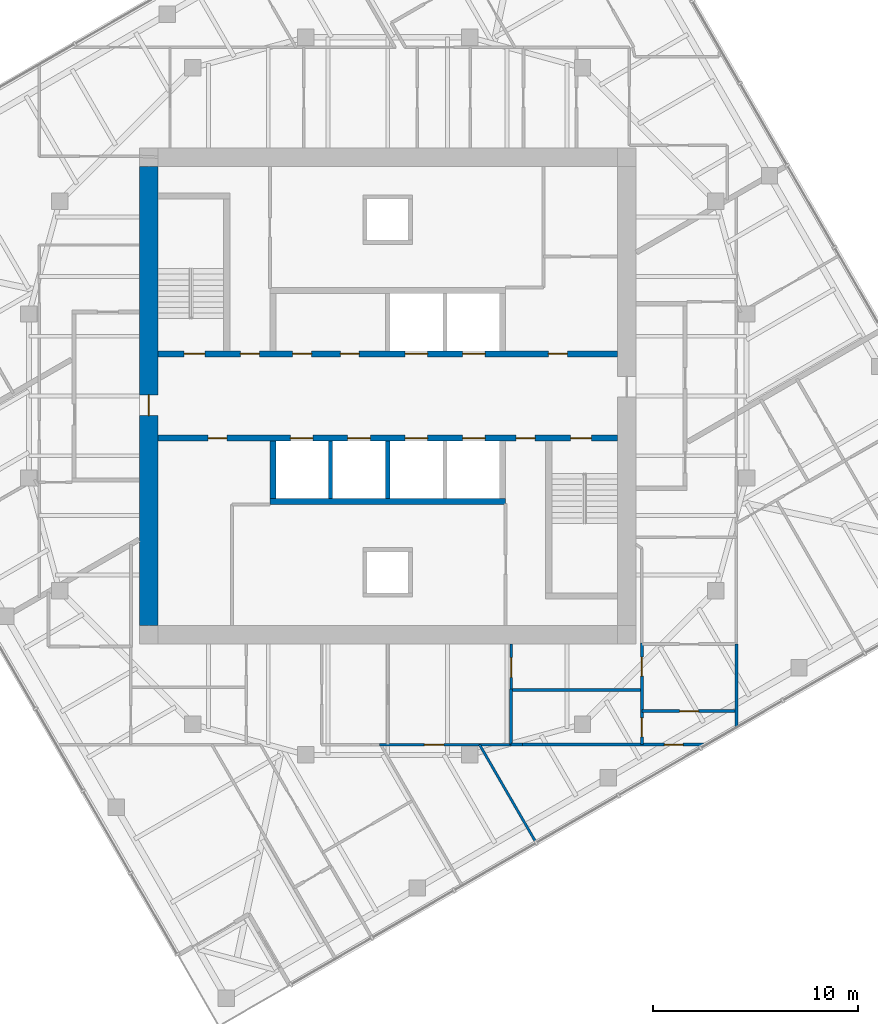
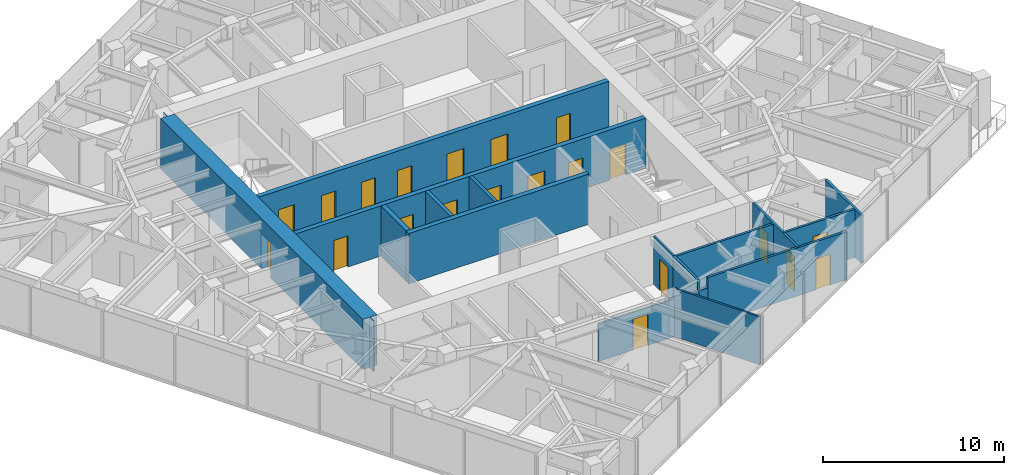
# One storey, part 8 of 13: 21 doors, 17 walls, 21 openings.
"""IFC4 building model written with IfcOpenShell, lengths in metres."""

from ifc_helpers import new_model, si_unit, direction, frame, frame_2d, origin, place, context, subcontext, project, spatial, polyline, rectangle, outline, extrude, material, layer, layer_set, type_object, element, fill, save


model = new_model("IFC4")

# Units and contexts
model_context = context("Model", 3, precision=1e-05, world=origin(), true_north=direction((0.0, 1.0)))
body_context = subcontext(model_context, "Body", "Model", "MODEL_VIEW")
ifc_project = project(units=[si_unit("LENGTHUNIT", "METRE"), si_unit("AREAUNIT", "SQUARE_METRE"), si_unit("VOLUMEUNIT", "CUBIC_METRE"), si_unit("PLANEANGLEUNIT", "RADIAN"), si_unit("MASSUNIT", "GRAM", prefix="KILO")], contexts=[model_context])

# Site, building, storey
site_placement = place(None, origin())
site = spatial("IfcSite", under=ifc_project, at=site_placement, CompositionType="ELEMENT")
building_placement = place(site_placement, origin())
building = spatial("IfcBuilding", under=site, at=building_placement, Name="Torsade Residences", CompositionType="ELEMENT")
storey_placement = place(building_placement, frame((0.0, 0.0, 208.199951171875)))
storey = spatial("IfcBuildingStorey", under=building, at=storey_placement, Name="L57", CompositionType="ELEMENT", Elevation=208.199951171875)

# Wall, openings, doors
ifc_material_1 = material(Name="Concrete 80 MPa", Category="concrete")
ifc_layer_1 = layer(ifc_material_1, 0.300048828125)
ifc_layer_set_1 = layer_set([ifc_layer_1], Name="Concrete 80 MPa")
wall_type_1 = type_object("IfcWallType", Name="CORE INTERNAL WALL 300", PredefinedType="SHEAR", material=ifc_layer_set_1)
wall_1_placement = place(storey_placement, frame((28.800048828125, 32.050048828125, 0.0), z_axis=(0.0, 0.0, 1.0), x_axis=(1.0, 0.0, 0.0)))
wall_1 = element("IfcWall", 1, at=wall_1_placement, inside=storey, type_object=wall_type_1, Name="Core wall LN L57", PredefinedType="SHEAR", context=body_context, shape_type="SweptSolid", body=[
    extrude(rectangle(XDim=22.39990234375, YDim=0.300048828125, at=frame_2d((11.199951171875, 0.0))), origin(), (0.0, 0.0, 1.0), 3.400146484375),
])
opening_1_placement = place(wall_1_placement, frame((19.0400390625, 0.0, 0.0)))
opening_1 = element("IfcOpeningElement", 2, at=opening_1_placement, cuts=wall_1, Name="Opening D06", PredefinedType="OPENING", context=body_context, shape_type="SweptSolid", body=[
    extrude(rectangle(XDim=0.919921875, YDim=2.10009765625, at=frame_2d((0.4599609375, 1.050048828125))), frame((0.0, 0.159912109375, 0.0), z_axis=(0.0, -1.0, 0.0), x_axis=(1.0, 0.0, 0.0)), (0.0, 0.0, 1.0), 0.320068359375),
])
opening_2_placement = place(wall_1_placement, frame((1.264892578125, 0.0, 0.0)))
opening_2 = element("IfcOpeningElement", 3, at=opening_2_placement, cuts=wall_1, Name="Opening D03", PredefinedType="OPENING", context=body_context, shape_type="SweptSolid", body=[
    extrude(rectangle(XDim=1.02001953125, YDim=2.10009765625, at=frame_2d((0.510009765625, 1.050048828125))), frame((0.0, 0.159912109375, 0.0), z_axis=(0.0, -1.0, 0.0), x_axis=(1.0, 0.0, 0.0)), (0.0, 0.0, 1.0), 0.320068359375),
])
opening_3_placement = place(wall_1_placement, frame((4.014892578125, 0.0, 0.0)))
opening_3 = element("IfcOpeningElement", 4, at=opening_3_placement, cuts=wall_1, Name="Opening D06", PredefinedType="OPENING", context=body_context, shape_type="SweptSolid", body=[
    extrude(rectangle(XDim=0.919921875, YDim=2.10009765625, at=frame_2d((0.4599609375, 1.050048828125))), frame((0.0, 0.159912109375, 0.0), z_axis=(0.0, -1.0, 0.0), x_axis=(1.0, 0.0, 0.0)), (0.0, 0.0, 1.0), 0.320068359375),
])
opening_4_placement = place(wall_1_placement, frame((6.56494140625, 0.0, 0.0)))
opening_4 = element("IfcOpeningElement", 5, at=opening_4_placement, cuts=wall_1, Name="Opening D06", PredefinedType="OPENING", context=body_context, shape_type="SweptSolid", body=[
    extrude(rectangle(XDim=0.919921875, YDim=2.10009765625, at=frame_2d((0.4599609375, 1.050048828125))), frame((0.0, 0.159912109375, 0.0), z_axis=(0.0, -1.0, 0.0), x_axis=(1.0, 0.0, 0.0)), (0.0, 0.0, 1.0), 0.320068359375),
])
opening_5_placement = place(wall_1_placement, frame((8.889892578125, 0.0, 0.0)))
opening_5 = element("IfcOpeningElement", 6, at=opening_5_placement, cuts=wall_1, Name="Opening D06", PredefinedType="OPENING", context=body_context, shape_type="SweptSolid", body=[
    extrude(rectangle(XDim=0.919921875, YDim=2.10009765625, at=frame_2d((0.4599609375, 1.050048828125))), frame((0.0, 0.159912109375, 0.0), z_axis=(0.0, -1.0, 0.0), x_axis=(1.0, 0.0, 0.0)), (0.0, 0.0, 1.0), 0.320068359375),
])
opening_6_placement = place(wall_1_placement, frame((12.050048828125, 0.0, 0.0)))
opening_6 = element("IfcOpeningElement", 7, at=opening_6_placement, cuts=wall_1, Name="Opening LD", PredefinedType="OPENING", context=body_context, shape_type="SweptSolid", body=[
    extrude(rectangle(XDim=1.10009765625, YDim=2.10009765625, at=frame_2d((0.550048828125, 1.050048828125))), frame((0.0, 0.159912109375, 0.0), z_axis=(0.0, -1.0, 0.0), x_axis=(1.0, 0.0, 0.0)), (0.0, 0.0, 1.0), 0.320068359375),
])
opening_7_placement = place(wall_1_placement, frame((14.85009765625, 0.0, 0.0)))
opening_7 = element("IfcOpeningElement", 8, at=opening_7_placement, cuts=wall_1, Name="Opening LD", PredefinedType="OPENING", context=body_context, shape_type="SweptSolid", body=[
    extrude(rectangle(XDim=1.10009765625, YDim=2.10009765625, at=frame_2d((0.550048828125, 1.050048828125))), frame((0.0, 0.159912109375, 0.0), z_axis=(0.0, -1.0, 0.0), x_axis=(1.0, 0.0, 0.0)), (0.0, 0.0, 1.0), 0.320068359375),
])
ifc_material_2 = material(Name="Steel-framed fire door", Category="steel")
door_type_1 = type_object("IfcDoorType", Name="FIRE DOOR 1020", OperationType="NOTDEFINED", PredefinedType="DOOR", material=ifc_material_2)
door_1_placement = place(opening_2_placement, origin())
door_1 = element("IfcDoor", 9, at=door_1_placement, inside=storey, type_object=door_type_1, Name="Exit door to fire-isolated stair ST1 L57", OperationType="SINGLE_SWING_RIGHT", OverallHeight=2.10009765625, OverallWidth=1.02001953125, PredefinedType="DOOR", context=body_context, shape_type="SweptSolid", body=[
    extrude(rectangle(XDim=1.02001953125, YDim=2.10009765625, at=frame_2d((0.510009765625, 1.050048828125))), frame((0.0, 0.02490234375, 0.0), z_axis=(0.0, -1.0, 0.0), x_axis=(1.0, 0.0, 0.0)), (0.0, 0.0, 1.0), 0.050048828125),
])
fill(opening_2, door_1)
ifc_material_3 = material(Name="Steel-framed fire door", Category="steel")
door_type_2 = type_object("IfcDoorType", Name="FIRE DOOR 920", OperationType="NOTDEFINED", PredefinedType="DOOR", material=ifc_material_3)
door_2_placement = place(opening_1_placement, origin())
door_2 = element("IfcDoor", 10, at=door_2_placement, inside=storey, type_object=door_type_2, Name="Door Transfer lift lobby to Refuse room", OperationType="SINGLE_SWING_LEFT", OverallHeight=2.10009765625, OverallWidth=0.919921875, PredefinedType="DOOR", context=body_context, shape_type="SweptSolid", body=[
    extrude(rectangle(XDim=0.919921875, YDim=2.10009765625, at=frame_2d((0.4599609375, 1.050048828125))), frame((0.0, 0.02490234375, 0.0), z_axis=(0.0, -1.0, 0.0), x_axis=(1.0, 0.0, 0.0)), (0.0, 0.0, 1.0), 0.050048828125),
])
fill(opening_1, door_2)
door_3_placement = place(opening_3_placement, origin())
door_3 = element("IfcDoor", 11, at=door_3_placement, inside=storey, type_object=door_type_2, Name="Door Transfer lift lobby to Meter store", OperationType="SINGLE_SWING_LEFT", OverallHeight=2.10009765625, OverallWidth=0.919921875, PredefinedType="DOOR", context=body_context, shape_type="SweptSolid", body=[
    extrude(rectangle(XDim=0.919921875, YDim=2.10009765625, at=frame_2d((0.4599609375, 1.050048828125))), frame((0.0, 0.02490234375, 0.0), z_axis=(0.0, -1.0, 0.0), x_axis=(1.0, 0.0, 0.0)), (0.0, 0.0, 1.0), 0.050048828125),
])
fill(opening_3, door_3)
door_4_placement = place(opening_4_placement, origin())
door_4 = element("IfcDoor", 12, at=door_4_placement, inside=storey, type_object=door_type_2, Name="Door Transfer lift lobby to Bulky waste store L57A", OperationType="SINGLE_SWING_RIGHT", OverallHeight=2.10009765625, OverallWidth=0.919921875, PredefinedType="DOOR", context=body_context, shape_type="SweptSolid", body=[
    extrude(rectangle(XDim=0.919921875, YDim=2.10009765625, at=frame_2d((0.4599609375, 1.050048828125))), frame((0.0, 0.02490234375, 0.0), z_axis=(0.0, -1.0, 0.0), x_axis=(1.0, 0.0, 0.0)), (0.0, 0.0, 1.0), 0.050048828125),
])
fill(opening_4, door_4)
door_5_placement = place(opening_5_placement, origin())
door_5 = element("IfcDoor", 13, at=door_5_placement, inside=storey, type_object=door_type_2, Name="Door Transfer lift lobby to Bulky waste store L57A", OperationType="SINGLE_SWING_LEFT", OverallHeight=2.10009765625, OverallWidth=0.919921875, PredefinedType="DOOR", context=body_context, shape_type="SweptSolid", body=[
    extrude(rectangle(XDim=0.919921875, YDim=2.10009765625, at=frame_2d((0.4599609375, 1.050048828125))), frame((0.0, 0.02490234375, 0.0), z_axis=(0.0, -1.0, 0.0), x_axis=(1.0, 0.0, 0.0)), (0.0, 0.0, 1.0), 0.050048828125),
])
fill(opening_5, door_5)
ifc_material_4 = material(Name="Stainless steel lift landing door", Category="steel")
door_type_3 = type_object("IfcDoorType", Name="LIFT LANDING DOOR 1100", OperationType="SLIDING_TO_LEFT", PredefinedType="DOOR", material=ifc_material_4)
door_6_placement = place(opening_6_placement, origin())
door_6 = element("IfcDoor", 14, at=door_6_placement, inside=storey, type_object=door_type_3, Name="Lift LA3 landing door L57", OperationType="SLIDING_TO_LEFT", OverallHeight=2.10009765625, OverallWidth=1.10009765625, PredefinedType="DOOR", context=body_context, shape_type="SweptSolid", body=[
    extrude(rectangle(XDim=1.10009765625, YDim=2.10009765625, at=frame_2d((0.550048828125, 1.050048828125))), frame((0.0, 0.02490234375, 0.0), z_axis=(0.0, -1.0, 0.0), x_axis=(1.0, 0.0, 0.0)), (0.0, 0.0, 1.0), 0.050048828125),
])
fill(opening_6, door_6)
door_7_placement = place(opening_7_placement, origin())
door_7 = element("IfcDoor", 15, at=door_7_placement, inside=storey, type_object=door_type_3, Name="Lift FL1 landing door L57", OperationType="SLIDING_TO_LEFT", OverallHeight=2.10009765625, OverallWidth=1.10009765625, PredefinedType="DOOR", context=body_context, shape_type="SweptSolid", body=[
    extrude(rectangle(XDim=1.10009765625, YDim=2.10009765625, at=frame_2d((0.550048828125, 1.050048828125))), frame((0.0, 0.02490234375, 0.0), z_axis=(0.0, -1.0, 0.0), x_axis=(1.0, 0.0, 0.0)), (0.0, 0.0, 1.0), 0.050048828125),
])
fill(opening_7, door_7)

wall_2_placement = place(storey_placement, frame((51.199951171875, 27.949951171875, 0.0), z_axis=(0.0, 0.0, 1.0), x_axis=(-1.0, 0.0, 0.0)))
wall_2 = element("IfcWall", 16, at=wall_2_placement, inside=storey, type_object=wall_type_1, Name="Core wall LS L57", PredefinedType="SHEAR", context=body_context, shape_type="SweptSolid", body=[
    extrude(rectangle(XDim=22.39990234375, YDim=0.300048828125, at=frame_2d((11.199951171875, 0.0))), origin(), (0.0, 0.0, 1.0), 3.400146484375),
])
opening_8_placement = place(wall_2_placement, frame((19.0400390625, 0.0, 0.0)))
opening_8 = element("IfcOpeningElement", 17, at=opening_8_placement, cuts=wall_2, Name="Opening D06", PredefinedType="OPENING", context=body_context, shape_type="SweptSolid", body=[
    extrude(rectangle(XDim=0.919921875, YDim=2.10009765625, at=frame_2d((0.4599609375, 1.050048828125))), frame((0.0, 0.159912109375, 0.0), z_axis=(0.0, -1.0, 0.0), x_axis=(1.0, 0.0, 0.0)), (0.0, 0.0, 1.0), 0.320068359375),
])
opening_9_placement = place(wall_2_placement, frame((1.264892578125, 0.0, 0.0)))
opening_9 = element("IfcOpeningElement", 18, at=opening_9_placement, cuts=wall_2, Name="Opening D03", PredefinedType="OPENING", context=body_context, shape_type="SweptSolid", body=[
    extrude(rectangle(XDim=1.02001953125, YDim=2.10009765625, at=frame_2d((0.510009765625, 1.050048828125))), frame((0.0, 0.159912109375, 0.0), z_axis=(0.0, -1.0, 0.0), x_axis=(1.0, 0.0, 0.0)), (0.0, 0.0, 1.0), 0.320068359375),
])
opening_10_placement = place(wall_2_placement, frame((4.014892578125, 0.0, 0.0)))
opening_10 = element("IfcOpeningElement", 19, at=opening_10_placement, cuts=wall_2, Name="Opening D06", PredefinedType="OPENING", context=body_context, shape_type="SweptSolid", body=[
    extrude(rectangle(XDim=0.919921875, YDim=2.10009765625, at=frame_2d((0.4599609375, 1.050048828125))), frame((0.0, 0.159912109375, 0.0), z_axis=(0.0, -1.0, 0.0), x_axis=(1.0, 0.0, 0.0)), (0.0, 0.0, 1.0), 0.320068359375),
])
opening_11_placement = place(wall_2_placement, frame((6.449951171875, 0.0, 0.0)))
opening_11 = element("IfcOpeningElement", 20, at=opening_11_placement, cuts=wall_2, Name="Opening LD", PredefinedType="OPENING", context=body_context, shape_type="SweptSolid", body=[
    extrude(rectangle(XDim=1.10009765625, YDim=2.10009765625, at=frame_2d((0.550048828125, 1.050048828125))), frame((0.0, 0.159912109375, 0.0), z_axis=(0.0, -1.0, 0.0), x_axis=(1.0, 0.0, 0.0)), (0.0, 0.0, 1.0), 0.320068359375),
])
opening_12_placement = place(wall_2_placement, frame((9.25, 0.0, 0.0)))
opening_12 = element("IfcOpeningElement", 21, at=opening_12_placement, cuts=wall_2, Name="Opening LD", PredefinedType="OPENING", context=body_context, shape_type="SweptSolid", body=[
    extrude(rectangle(XDim=1.10009765625, YDim=2.10009765625, at=frame_2d((0.550048828125, 1.050048828125))), frame((0.0, 0.159912109375, 0.0), z_axis=(0.0, -1.0, 0.0), x_axis=(1.0, 0.0, 0.0)), (0.0, 0.0, 1.0), 0.320068359375),
])
opening_13_placement = place(wall_2_placement, frame((12.050048828125, 0.0, 0.0)))
opening_13 = element("IfcOpeningElement", 22, at=opening_13_placement, cuts=wall_2, Name="Opening LD", PredefinedType="OPENING", context=body_context, shape_type="SweptSolid", body=[
    extrude(rectangle(XDim=1.10009765625, YDim=2.10009765625, at=frame_2d((0.550048828125, 1.050048828125))), frame((0.0, 0.159912109375, 0.0), z_axis=(0.0, -1.0, 0.0), x_axis=(1.0, 0.0, 0.0)), (0.0, 0.0, 1.0), 0.320068359375),
])
opening_14_placement = place(wall_2_placement, frame((14.85009765625, 0.0, 0.0)))
opening_14 = element("IfcOpeningElement", 23, at=opening_14_placement, cuts=wall_2, Name="Opening LD", PredefinedType="OPENING", context=body_context, shape_type="SweptSolid", body=[
    extrude(rectangle(XDim=1.10009765625, YDim=2.10009765625, at=frame_2d((0.550048828125, 1.050048828125))), frame((0.0, 0.159912109375, 0.0), z_axis=(0.0, -1.0, 0.0), x_axis=(1.0, 0.0, 0.0)), (0.0, 0.0, 1.0), 0.320068359375),
])
door_8_placement = place(opening_9_placement, origin())
door_8 = element("IfcDoor", 24, at=door_8_placement, inside=storey, type_object=door_type_1, Name="Exit door to fire-isolated stair ST2 L57", OperationType="SINGLE_SWING_RIGHT", OverallHeight=2.10009765625, OverallWidth=1.02001953125, PredefinedType="DOOR", context=body_context, shape_type="SweptSolid", body=[
    extrude(rectangle(XDim=1.02001953125, YDim=2.10009765625, at=frame_2d((0.510009765625, 1.050048828125))), frame((0.0, 0.02490234375, 0.0), z_axis=(0.0, -1.0, 0.0), x_axis=(1.0, 0.0, 0.0)), (0.0, 0.0, 1.0), 0.050048828125),
])
fill(opening_9, door_8)
door_9_placement = place(opening_8_placement, origin())
door_9 = element("IfcDoor", 25, at=door_9_placement, inside=storey, type_object=door_type_2, Name="Door Transfer lift lobby to Cleaner store", OperationType="SINGLE_SWING_LEFT", OverallHeight=2.10009765625, OverallWidth=0.919921875, PredefinedType="DOOR", context=body_context, shape_type="SweptSolid", body=[
    extrude(rectangle(XDim=0.919921875, YDim=2.10009765625, at=frame_2d((0.4599609375, 1.050048828125))), frame((0.0, 0.02490234375, 0.0), z_axis=(0.0, -1.0, 0.0), x_axis=(1.0, 0.0, 0.0)), (0.0, 0.0, 1.0), 0.050048828125),
])
fill(opening_8, door_9)
door_10_placement = place(opening_10_placement, origin())
door_10 = element("IfcDoor", 26, at=door_10_placement, inside=storey, type_object=door_type_2, Name="Door Transfer lift lobby to Communications equipment store", OperationType="SINGLE_SWING_RIGHT", OverallHeight=2.10009765625, OverallWidth=0.919921875, PredefinedType="DOOR", context=body_context, shape_type="SweptSolid", body=[
    extrude(rectangle(XDim=0.919921875, YDim=2.10009765625, at=frame_2d((0.4599609375, 1.050048828125))), frame((0.0, 0.02490234375, 0.0), z_axis=(0.0, -1.0, 0.0), x_axis=(1.0, 0.0, 0.0)), (0.0, 0.0, 1.0), 0.050048828125),
])
fill(opening_10, door_10)
door_11_placement = place(opening_11_placement, origin())
door_11 = element("IfcDoor", 27, at=door_11_placement, inside=storey, type_object=door_type_3, Name="Lift LB1 landing door L57", OperationType="SLIDING_TO_LEFT", OverallHeight=2.10009765625, OverallWidth=1.10009765625, PredefinedType="DOOR", context=body_context, shape_type="SweptSolid", body=[
    extrude(rectangle(XDim=1.10009765625, YDim=2.10009765625, at=frame_2d((0.550048828125, 1.050048828125))), frame((0.0, 0.02490234375, 0.0), z_axis=(0.0, -1.0, 0.0), x_axis=(1.0, 0.0, 0.0)), (0.0, 0.0, 1.0), 0.050048828125),
])
fill(opening_11, door_11)
door_12_placement = place(opening_12_placement, origin())
door_12 = element("IfcDoor", 28, at=door_12_placement, inside=storey, type_object=door_type_3, Name="Lift LB2 landing door L57", OperationType="SLIDING_TO_LEFT", OverallHeight=2.10009765625, OverallWidth=1.10009765625, PredefinedType="DOOR", context=body_context, shape_type="SweptSolid", body=[
    extrude(rectangle(XDim=1.10009765625, YDim=2.10009765625, at=frame_2d((0.550048828125, 1.050048828125))), frame((0.0, 0.02490234375, 0.0), z_axis=(0.0, -1.0, 0.0), x_axis=(1.0, 0.0, 0.0)), (0.0, 0.0, 1.0), 0.050048828125),
])
fill(opening_12, door_12)
door_13_placement = place(opening_13_placement, origin())
door_13 = element("IfcDoor", 29, at=door_13_placement, inside=storey, type_object=door_type_3, Name="Lift LB3 landing door L57", OperationType="SLIDING_TO_LEFT", OverallHeight=2.10009765625, OverallWidth=1.10009765625, PredefinedType="DOOR", context=body_context, shape_type="SweptSolid", body=[
    extrude(rectangle(XDim=1.10009765625, YDim=2.10009765625, at=frame_2d((0.550048828125, 1.050048828125))), frame((0.0, 0.02490234375, 0.0), z_axis=(0.0, -1.0, 0.0), x_axis=(1.0, 0.0, 0.0)), (0.0, 0.0, 1.0), 0.050048828125),
])
fill(opening_13, door_13)
door_14_placement = place(opening_14_placement, origin())
door_14 = element("IfcDoor", 30, at=door_14_placement, inside=storey, type_object=door_type_3, Name="Lift FL2 landing door L57", OperationType="SLIDING_TO_LEFT", OverallHeight=2.10009765625, OverallWidth=1.10009765625, PredefinedType="DOOR", context=body_context, shape_type="SweptSolid", body=[
    extrude(rectangle(XDim=1.10009765625, YDim=2.10009765625, at=frame_2d((0.550048828125, 1.050048828125))), frame((0.0, 0.02490234375, 0.0), z_axis=(0.0, -1.0, 0.0), x_axis=(1.0, 0.0, 0.0)), (0.0, 0.0, 1.0), 0.050048828125),
])
fill(opening_14, door_14)

# Walls
wall_3_placement = place(storey_placement, frame((45.75, 24.85009765625, 0.0), z_axis=(0.0, 0.0, 1.0), x_axis=(-1.0, 0.0, 0.0)))
element("IfcWall", 31, at=wall_3_placement, inside=storey, type_object=wall_type_1, Name="Core wall BS L57", PredefinedType="SHEAR", context=body_context, shape_type="SweptSolid", body=[
    extrude(rectangle(XDim=11.5, YDim=0.300048828125, at=frame_2d((5.75, 0.0))), origin(), (0.0, 0.0, 1.0), 3.400146484375),
])
wall_4_placement = place(storey_placement, frame((34.39990234375, 27.800048828125, 0.0), z_axis=(0.0, 0.0, 1.0), x_axis=(0.0, -1.0, 0.0)))
element("IfcWall", 32, at=wall_4_placement, inside=storey, type_object=wall_type_1, Name="Core wall DS4 L57", PredefinedType="SHEAR", context=body_context, shape_type="SweptSolid", body=[
    extrude(rectangle(XDim=2.800048828125, YDim=0.300048828125, at=frame_2d((1.39990234375, 0.0))), origin(), (0.0, 0.0, 1.0), 3.400146484375),
])

# Wall, opening, door
ifc_material_5 = material(Name="Concrete 80 MPa", Category="concrete")
ifc_layer_2 = layer(ifc_material_5, 0.89990234375)
ifc_layer_set_2 = layer_set([ifc_layer_2], Name="Concrete 80 MPa")
wall_type_2 = type_object("IfcWallType", Name="CORE WALL 900", PredefinedType="SHEAR", material=ifc_layer_set_2)
wall_5_placement = place(storey_placement, frame((28.35009765625, 41.199951171875, 0.0), z_axis=(0.0, 0.0, 1.0), x_axis=(0.0, -1.0, 0.0)))
wall_5 = element("IfcWall", 33, at=wall_5_placement, inside=storey, type_object=wall_type_2, Name="Core wall W L57", PredefinedType="SHEAR", context=body_context, shape_type="SweptSolid", body=[
    extrude(outline(polyline([(0.0, -0.449951171875), (22.39990234375, -0.449951171875), (22.39990234375, -0.02490234375), (22.849853515625, -0.02490234375), (22.849853515625, 0.02490234375), (22.39990234375, 0.02490234375), (22.39990234375, 0.449951171875), (0.0, 0.449951171875), (0.0, 0.02490234375), (-0.449951171875, 0.02490234375), (-0.449951171875, -0.02490234375), (0.0, -0.02490234375), (0.0, -0.449951171875)])), origin(), (0.0, 0.0, 1.0), 3.400146484375),
])
opening_15_placement = place(wall_5_placement, frame((11.139892578125, 0.0, 0.0)))
opening_15 = element("IfcOpeningElement", 34, at=opening_15_placement, cuts=wall_5, Name="Opening D04", PredefinedType="OPENING", context=body_context, shape_type="SweptSolid", body=[
    extrude(rectangle(XDim=1.02001953125, YDim=2.39990234375, at=frame_2d((0.510009765625, 1.199951171875))), frame((0.0, 0.4599609375, 0.0), z_axis=(0.0, -1.0, 0.0), x_axis=(1.0, 0.0, 0.0)), (0.0, 0.0, 1.0), 0.919921875),
])
ifc_material_6 = material(Name="Steel-framed fire door", Category="steel")
door_type_4 = type_object("IfcDoorType", Name="LOBBY SMOKE DOOR 1020x2400", OperationType="NOTDEFINED", PredefinedType="DOOR", material=ifc_material_6)
door_15_placement = place(opening_15_placement, origin())
door_15 = element("IfcDoor", 35, at=door_15_placement, inside=storey, type_object=door_type_4, Name="Lift lobby door W L57", OperationType="SINGLE_SWING_RIGHT", OverallHeight=2.39990234375, OverallWidth=1.02001953125, PredefinedType="DOOR", context=body_context, shape_type="SweptSolid", body=[
    extrude(rectangle(XDim=1.02001953125, YDim=2.39990234375, at=frame_2d((0.510009765625, 1.199951171875))), frame((0.0, 0.02490234375, 0.0), z_axis=(0.0, -1.0, 0.0), x_axis=(1.0, 0.0, 0.0)), (0.0, 0.0, 1.0), 0.050048828125),
])
fill(opening_15, door_15)

# Walls
ifc_material_7 = material(Name="Reinforced blockwork", Category="masonry")
ifc_layer_3 = layer(ifc_material_7, 0.199951171875)
ifc_layer_set_3 = layer_set([ifc_layer_3], Name="Reinforced blockwork")
wall_type_3 = type_object("IfcWallType", Name="LIFT SHAFT DIVIDING WALL 200", PredefinedType="SOLIDWALL", material=ifc_layer_set_3)
for number, where, z_axis, x_axis, name in (
    (36, (40.0, 27.800048828125, 0.0), (0.0, 0.0, 1.0), (0.0, -1.0, 0.0), "Core wall DS2 L57"),
    (37, (37.199951171875, 27.800048828125, 0.0), (0.0, 0.0, 1.0), (0.0, -1.0, 0.0), "Core wall DS3 L57"),
):
    element("IfcWall", number, at=place(storey_placement, frame(where, z_axis=z_axis, x_axis=x_axis)), inside=storey, type_object=wall_type_3, Name=name, PredefinedType="SOLIDWALL", context=body_context, shape_type="SweptSolid", body=[
        extrude(rectangle(XDim=2.800048828125, YDim=0.199951171875, at=frame_2d((1.39990234375, 0.0))), origin(), (0.0, 0.0, 1.0), 3.400146484375),
    ])

# Wall, opening, door
ifc_material_8 = material(Name="Plasterboard on steel stud", Category="steel")
ifc_layer_4 = layer(ifc_material_8, 0.1201171875)
ifc_layer_set_4 = layer_set([ifc_layer_4], Name="Plasterboard on steel stud")
wall_type_4 = type_object("IfcWallType", Name="PARTITION 120", PredefinedType="PARTITIONING", material=ifc_layer_set_4)
wall_6_placement = place(storey_placement, frame((46.0205078125, 13.0, 0.0), z_axis=(0.0, 0.0, 1.0), x_axis=(-1.0, 0.0, 0.0)))
wall_6 = element("IfcWall", 38, at=wall_6_placement, inside=storey, type_object=wall_type_4, Name="Partition L57", PredefinedType="PARTITIONING", context=body_context, shape_type="SweptSolid", body=[
    extrude(rectangle(XDim=6.424560546875, YDim=0.1201171875, at=frame_2d((3.21240234375, 0.0))), origin(), (0.0, 0.0, 1.0), 2.550048828125),
])
opening_16_placement = place(wall_6_placement, frame((3.277587890625, 0.0, 0.0)))
opening_16 = element("IfcOpeningElement", 39, at=opening_16_placement, cuts=wall_6, Name="Opening D05", PredefinedType="OPENING", context=body_context, shape_type="SweptSolid", body=[
    extrude(rectangle(XDim=0.9599609375, YDim=2.10009765625, at=frame_2d((0.47998046875, 1.050048828125))), frame((0.0, 0.070068359375, 0.0), z_axis=(0.0, -1.0, 0.0), x_axis=(1.0, 0.0, 0.0)), (0.0, 0.0, 1.0), 0.14013671875),
])
ifc_material_9 = material(Name="Hollow-core timber door in a steel cavity frame", Category="steel")
door_type_5 = type_object("IfcDoorType", Name="BATHROOM CAVITY SLIDING DOOR 960", OperationType="SLIDING_TO_LEFT", PredefinedType="DOOR", material=ifc_material_9)
door_16_placement = place(opening_16_placement, origin())
door_16 = element("IfcDoor", 40, at=door_16_placement, inside=storey, type_object=door_type_5, Name="Door Laundry to Bedroom 3", OperationType="SLIDING_TO_LEFT", OverallHeight=2.10009765625, OverallWidth=0.9599609375, PredefinedType="DOOR", context=body_context, shape_type="SweptSolid", body=[
    extrude(rectangle(XDim=0.9599609375, YDim=2.10009765625, at=frame_2d((0.47998046875, 1.050048828125))), frame((0.0, 0.02490234375, 0.0), z_axis=(0.0, -1.0, 0.0), x_axis=(1.0, 0.0, 0.0)), (0.0, 0.0, 1.0), 0.050048828125),
])
fill(opening_16, door_16)

wall_7_placement = place(storey_placement, frame((46.0205078125, 17.89990234375, 0.0), z_axis=(0.0, 0.0, 1.0), x_axis=(0.0, -1.0, 0.0)))
wall_7 = element("IfcWall", 41, at=wall_7_placement, inside=storey, type_object=wall_type_4, Name="Partition L57", PredefinedType="PARTITIONING", context=body_context, shape_type="SweptSolid", body=[
    extrude(rectangle(XDim=2.189697265625, YDim=0.1201171875, at=frame_2d((1.0947265625, 0.0))), origin(), (0.0, 0.0, 1.0), 3.25),
])
opening_17_placement = place(wall_7_placement, frame((0.664794921875, 0.0, 0.0)))
opening_17 = element("IfcOpeningElement", 42, at=opening_17_placement, cuts=wall_7, Name="Opening D05", PredefinedType="OPENING", context=body_context, shape_type="SweptSolid", body=[
    extrude(rectangle(XDim=0.9599609375, YDim=2.10009765625, at=frame_2d((0.47998046875, 1.050048828125))), frame((0.0, 0.070068359375, 0.0), z_axis=(0.0, -1.0, 0.0), x_axis=(1.0, 0.0, 0.0)), (0.0, 0.0, 1.0), 0.14013671875),
])
door_17_placement = place(opening_17_placement, origin())
door_17 = element("IfcDoor", 43, at=door_17_placement, inside=storey, type_object=door_type_5, Name="Door Study to Laundry", OperationType="SLIDING_TO_LEFT", OverallHeight=2.10009765625, OverallWidth=0.9599609375, PredefinedType="DOOR", context=body_context, shape_type="SweptSolid", body=[
    extrude(rectangle(XDim=0.9599609375, YDim=2.10009765625, at=frame_2d((0.47998046875, 1.050048828125))), frame((0.0, 0.02490234375, 0.0), z_axis=(0.0, -1.0, 0.0), x_axis=(1.0, 0.0, 0.0)), (0.0, 0.0, 1.0), 0.050048828125),
])
fill(opening_17, door_17)

# Walls
wall_8_placement = place(storey_placement, frame((44.474609375, 13.0, 0.0), z_axis=(0.0, 0.0, 1.0), x_axis=(0.49997732567, -0.866038494419, 0.0)))
element("IfcWall", 44, at=wall_8_placement, inside=storey, type_object=wall_type_4, Name="Partition L57", PredefinedType="PARTITIONING", context=body_context, shape_type="SweptSolid", body=[
    extrude(rectangle(XDim=5.500244140625, YDim=0.1201171875, at=frame_2d((2.75, 0.0))), origin(), (0.0, 0.0, 1.0), 3.25),
])
ifc_material_10 = material(Name="Reinforced blockwork", Category="masonry")
ifc_layer_5 = layer(ifc_material_10, 0.14990234375)
ifc_layer_set_5 = layer_set([ifc_layer_5], Name="Reinforced blockwork")
wall_type_5 = type_object("IfcWallType", Name="SERVICE ROOM WALL 150", PredefinedType="SOLIDWALL", material=ifc_layer_set_5)
wall_9_placement = place(storey_placement, frame((46.0205078125, 15.710205078125, 0.0), z_axis=(0.0, 0.0, 1.0), x_axis=(0.0, -1.0, 0.0)))
element("IfcWall", 45, at=wall_9_placement, inside=storey, type_object=wall_type_5, Name="Service room wall L57", PredefinedType="SOLIDWALL", context=body_context, shape_type="SweptSolid", body=[
    extrude(rectangle(XDim=2.710205078125, YDim=0.14990234375, at=frame_2d((1.35498046875, 0.0))), origin(), (0.0, 0.0, 1.0), 3.25),
])
wall_10_placement = place(storey_placement, frame((52.398193359375, 15.660400390625, 0.0), z_axis=(0.0, 0.0, 1.0), x_axis=(-1.0, 0.0, 0.0)))
element("IfcWall", 46, at=wall_10_placement, inside=storey, type_object=wall_type_5, Name="Service room wall L57", PredefinedType="SOLIDWALL", context=body_context, shape_type="SweptSolid", body=[
    extrude(rectangle(XDim=6.377685546875, YDim=0.14990234375, at=frame_2d((3.18896484375, 0.0))), origin(), (0.0, 0.0, 1.0), 3.25),
])

# Wall, openings, doors
wall_11_placement = place(storey_placement, frame((52.398193359375, 17.94580078125, 0.0), z_axis=(0.0, 0.0, 1.0), x_axis=(0.0, -1.0, 0.0)))
wall_11 = element("IfcWall", 47, at=wall_11_placement, inside=storey, type_object=wall_type_5, Name="Service room wall L57", PredefinedType="SOLIDWALL", context=body_context, shape_type="SweptSolid", body=[
    extrude(rectangle(XDim=4.94580078125, YDim=0.14990234375, at=frame_2d((2.472900390625, 0.0))), origin(), (0.0, 0.0, 1.0), 3.25),
])
opening_18_placement = place(wall_11_placement, frame((0.682861328125, 0.0, 0.0)))
opening_18 = element("IfcOpeningElement", 48, at=opening_18_placement, cuts=wall_11, Name="Opening D02L", PredefinedType="OPENING", context=body_context, shape_type="SweptSolid", body=[
    extrude(rectangle(XDim=0.919921875, YDim=2.10009765625, at=frame_2d((0.4599609375, 1.050048828125))), frame((0.0, 0.0849609375, 0.0), z_axis=(0.0, -1.0, 0.0), x_axis=(1.0, 0.0, 0.0)), (0.0, 0.0, 1.0), 0.169921875),
])
opening_19_placement = place(wall_11_placement, frame((3.644775390625, 0.0, 0.0)))
opening_19 = element("IfcOpeningElement", 49, at=opening_19_placement, cuts=wall_11, Name="Opening D02", PredefinedType="OPENING", context=body_context, shape_type="SweptSolid", body=[
    extrude(rectangle(XDim=0.919921875, YDim=2.340087890625, at=frame_2d((0.4599609375, 1.169921875))), frame((0.0, 0.0849609375, 0.0), z_axis=(0.0, -1.0, 0.0), x_axis=(1.0, 0.0, 0.0)), (0.0, 0.0, 1.0), 0.169921875),
])
ifc_material_11 = material(Name="Hollow-core timber door", Category="wood")
door_type_6 = type_object("IfcDoorType", Name="INTERNAL DOOR 920x2100", OperationType="NOTDEFINED", PredefinedType="DOOR", material=ifc_material_11)
door_18_placement = place(opening_18_placement, origin())
door_18 = element("IfcDoor", 50, at=door_18_placement, inside=storey, type_object=door_type_6, Name="Door Store to Study", OperationType="SINGLE_SWING_LEFT", OverallHeight=2.10009765625, OverallWidth=0.919921875, PredefinedType="DOOR", context=body_context, shape_type="SweptSolid", body=[
    extrude(rectangle(XDim=0.919921875, YDim=2.10009765625, at=frame_2d((0.4599609375, 1.050048828125))), frame((0.0, 0.02490234375, 0.0), z_axis=(0.0, -1.0, 0.0), x_axis=(1.0, 0.0, 0.0)), (0.0, 0.0, 1.0), 0.050048828125),
])
fill(opening_18, door_18)
ifc_material_12 = material(Name="Hollow-core timber door", Category="wood")
door_type_7 = type_object("IfcDoorType", Name="INTERNAL DOOR 920x2340", OperationType="NOTDEFINED", PredefinedType="DOOR", material=ifc_material_12)
door_19_placement = place(opening_19_placement, origin())
door_19 = element("IfcDoor", 51, at=door_19_placement, inside=storey, type_object=door_type_7, Name="Door Linen store 4 to Linen store 2", OperationType="SINGLE_SWING_LEFT", OverallHeight=2.340087890625, OverallWidth=0.919921875, PredefinedType="DOOR", context=body_context, shape_type="SweptSolid", body=[
    extrude(rectangle(XDim=0.919921875, YDim=2.340087890625, at=frame_2d((0.4599609375, 1.169921875))), frame((0.0, 0.02490234375, 0.0), z_axis=(0.0, -1.0, 0.0), x_axis=(1.0, 0.0, 0.0)), (0.0, 0.0, 1.0), 0.050048828125),
])
fill(opening_19, door_19)

# Wall, opening, door
wall_12_placement = place(storey_placement, frame((55.47509765625, 13.0, 0.0), z_axis=(0.0, 0.0, 1.0), x_axis=(-1.0, 0.0, 0.0)))
wall_12 = element("IfcWall", 52, at=wall_12_placement, inside=storey, type_object=wall_type_5, Name="Service room wall L57", PredefinedType="SOLIDWALL", context=body_context, shape_type="SweptSolid", body=[
    extrude(rectangle(XDim=8.8916015625, YDim=0.14990234375, at=frame_2d((4.44580078125, 0.0))), origin(), (0.0, 0.0, 1.0), 3.25),
])
opening_20_placement = place(wall_12_placement, frame((1.0634765625, 0.0, 0.0)))
opening_20 = element("IfcOpeningElement", 53, at=opening_20_placement, cuts=wall_12, Name="Opening D02L", PredefinedType="OPENING", context=body_context, shape_type="SweptSolid", body=[
    extrude(rectangle(XDim=0.919921875, YDim=2.10009765625, at=frame_2d((0.4599609375, 1.050048828125))), frame((0.0, 0.0849609375, 0.0), z_axis=(0.0, -1.0, 0.0), x_axis=(1.0, 0.0, 0.0)), (0.0, 0.0, 1.0), 0.169921875),
])
door_20_placement = place(opening_20_placement, origin())
door_20 = element("IfcDoor", 54, at=door_20_placement, inside=storey, type_object=door_type_6, Name="Door Linen store 4 to Bedroom 4", OperationType="SINGLE_SWING_LEFT", OverallHeight=2.10009765625, OverallWidth=0.919921875, PredefinedType="DOOR", context=body_context, shape_type="SweptSolid", body=[
    extrude(rectangle(XDim=0.919921875, YDim=2.10009765625, at=frame_2d((0.4599609375, 1.050048828125))), frame((0.0, 0.02490234375, 0.0), z_axis=(0.0, -1.0, 0.0), x_axis=(1.0, 0.0, 0.0)), (0.0, 0.0, 1.0), 0.050048828125),
])
fill(opening_20, door_20)

# Walls
wall_13_placement = place(storey_placement, frame((46.58349609375, 13.0, 0.0), z_axis=(0.0, 0.0, 1.0), x_axis=(-1.0, 0.0, 0.0)))
element("IfcWall", 55, at=wall_13_placement, inside=storey, type_object=wall_type_5, Name="Service room wall L57", PredefinedType="SOLIDWALL", context=body_context, shape_type="SweptSolid", body=[
    extrude(rectangle(XDim=0.56298828125, YDim=0.14990234375, at=frame_2d((0.281494140625, 0.0))), origin(), (0.0, 0.0, 1.0), 2.550048828125),
])
wall_14_placement = place(storey_placement, frame((57.0, 17.895751953125, 0.0), z_axis=(0.0, 0.0, 1.0), x_axis=(-0.00012159533, -0.999999992607, 0.0)))
element("IfcWall", 56, at=wall_14_placement, inside=storey, type_object=wall_type_5, Name="Service room wall L57", PredefinedType="SOLIDWALL", context=body_context, shape_type="SweptSolid", body=[
    extrude(rectangle(XDim=4.015625, YDim=0.14990234375, at=frame_2d((2.0078125, 0.0))), origin(), (0.0, 0.0, 1.0), 3.25),
])

# Wall, opening, door
wall_15_placement = place(storey_placement, frame((57.0, 14.6318359375, 0.0), z_axis=(0.0, 0.0, 1.0), x_axis=(-1.0, 0.0, 0.0)))
wall_15 = element("IfcWall", 57, at=wall_15_placement, inside=storey, type_object=wall_type_5, Name="Service room wall L57", PredefinedType="SOLIDWALL", context=body_context, shape_type="SweptSolid", body=[
    extrude(rectangle(XDim=4.601806640625, YDim=0.14990234375, at=frame_2d((2.30078125, 0.0))), origin(), (0.0, 0.0, 1.0), 3.25),
])
opening_21_placement = place(wall_15_placement, frame((1.8408203125, 0.0, 0.0)))
opening_21 = element("IfcOpeningElement", 58, at=opening_21_placement, cuts=wall_15, Name="Opening D02", PredefinedType="OPENING", context=body_context, shape_type="SweptSolid", body=[
    extrude(rectangle(XDim=0.919921875, YDim=2.340087890625, at=frame_2d((0.4599609375, 1.169921875))), frame((0.0, 0.0849609375, 0.0), z_axis=(0.0, -1.0, 0.0), x_axis=(1.0, 0.0, 0.0)), (0.0, 0.0, 1.0), 0.169921875),
])
door_21_placement = place(opening_21_placement, origin())
door_21 = element("IfcDoor", 59, at=door_21_placement, inside=storey, type_object=door_type_7, Name="Door Store to Linen store 4", OperationType="SINGLE_SWING_RIGHT", OverallHeight=2.340087890625, OverallWidth=0.919921875, PredefinedType="DOOR", context=body_context, shape_type="SweptSolid", body=[
    extrude(rectangle(XDim=0.919921875, YDim=2.340087890625, at=frame_2d((0.4599609375, 1.169921875))), frame((0.0, 0.02490234375, 0.0), z_axis=(0.0, -1.0, 0.0), x_axis=(1.0, 0.0, 0.0)), (0.0, 0.0, 1.0), 0.050048828125),
])
fill(opening_21, door_21)

save(model, "model.ifc")
